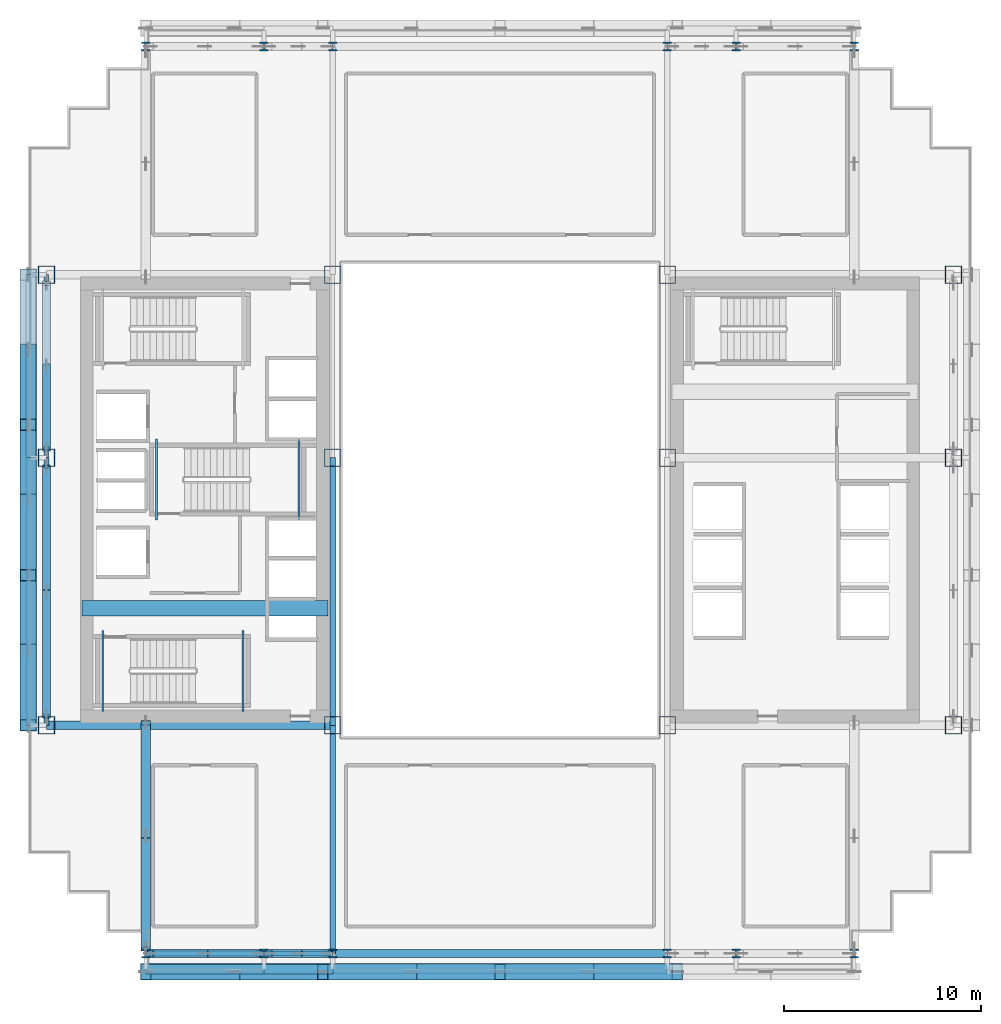
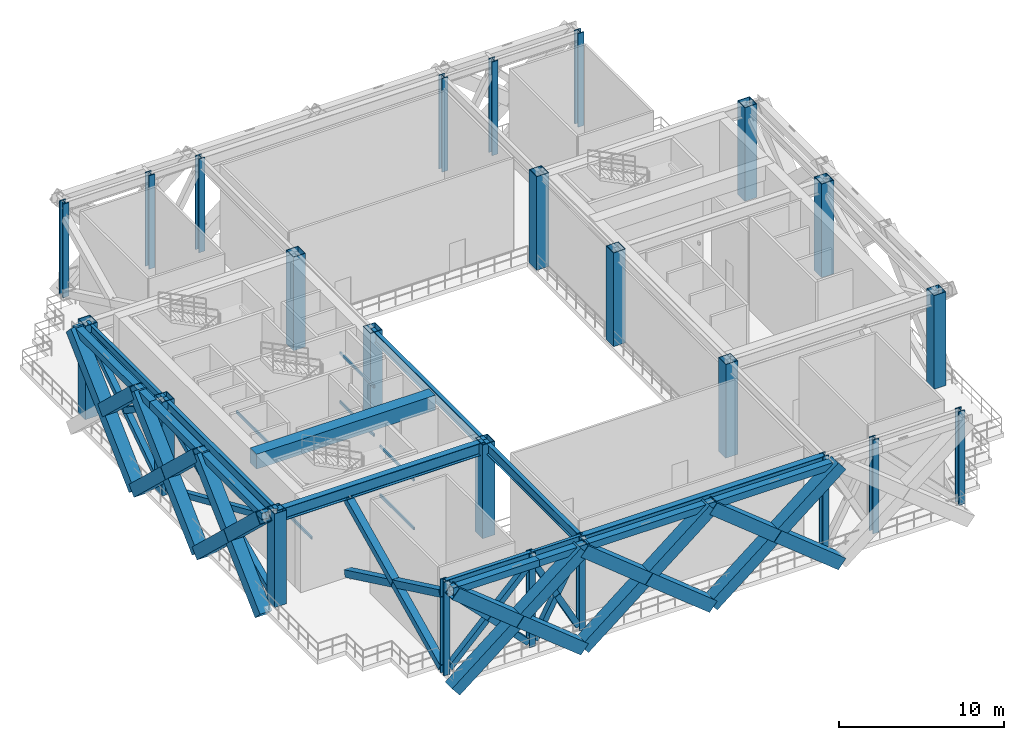
# One storey, part 1 of 14: 31 members, 24 columns, 20 beams.
"""IFC4 building model written with IfcOpenShell, lengths in metres."""

from ifc_helpers import new_model, si_unit, direction, frame, origin, origin_2d, place, context, subcontext, project, spatial, rectangle, hollow_rectangle, i_section, extrude, source, transform, mapped, material, material_profile, profile_set, type_object, element, save


model = new_model("IFC4")

# Units and contexts
model_context = context("Model", 3, precision=1e-05, world=origin(), true_north=direction((0.0, 1.0)))
body_context = subcontext(model_context, "Body", "Model", "MODEL_VIEW")
ifc_project = project(units=[si_unit("LENGTHUNIT", "METRE"), si_unit("AREAUNIT", "SQUARE_METRE"), si_unit("VOLUMEUNIT", "CUBIC_METRE"), si_unit("PLANEANGLEUNIT", "RADIAN"), si_unit("MASSUNIT", "GRAM", prefix="KILO")], contexts=[model_context])

# Site, building, storey
site_placement = place(None, origin())
site = spatial("IfcSite", under=ifc_project, at=site_placement, CompositionType="ELEMENT")
building_placement = place(site_placement, origin())
building = spatial("IfcBuilding", under=site, at=building_placement, Name="Ocotamira Hotel", CompositionType="ELEMENT")
storey_placement = place(building_placement, frame((0.0, 0.0, 85.199951171875)))
storey = spatial("IfcBuildingStorey", under=building, at=storey_placement, Name="L21", CompositionType="ELEMENT", Elevation=85.199951171875)

# Columns
ifc_material_1 = material(Name="Steel ASTM A913 Grade 65", Category="steel")
ifc_material_profile_1 = material_profile(ifc_material_1, hollow_rectangle(XDim=0.85009765625, YDim=0.89990234375, WallThickness=0.0400390625, at=origin_2d()), Name="BOX900X850X40")
ifc_profile_set_1 = profile_set([ifc_material_profile_1], Name="Steel ASTM A913 Grade 65")
column_type_1 = type_object("IfcColumnType", Name="COL-BOX900", PredefinedType="COLUMN", material=ifc_profile_set_1)
shared_shape_1 = source(origin(), body_context, "Body", "SweptSolid", [
    extrude(hollow_rectangle(XDim=0.85009765625, YDim=0.89990234375, WallThickness=0.0400390625, at=origin_2d()), origin(), (0.0, 0.0, 1.0), 6.920166015625),
])
for number, where, z_axis, x_axis, name in (
    (1, (8.949951171875, 14.550048828125, 0.0), (0.0, 0.0, 1.0), (1.0, 0.0, 0.0), "L21 Column TW8_14"),
    (2, (23.5, 14.550048828125, 0.0), (0.0, 0.0, 1.0), (1.0, 0.0, 0.0), "L21 Column TW23_14"),
    (3, (40.5, 14.550048828125, 0.0), (0.0, 0.0, 1.0), (1.0, 0.0, 0.0), "L21 Column TE40_14"),
    (4, (55.050048828125, 14.550048828125, 0.0), (0.0, 0.0, 1.0), (1.0, 0.0, 0.0), "L21 Column TE55_14"),
    (5, (8.949951171875, 28.14990234375, 0.0), (0.0, 0.0, 1.0), (1.0, 0.0, 0.0), "L21 Column TW8_28"),
    (6, (23.5, 28.14990234375, 0.0), (0.0, 0.0, 1.0), (1.0, 0.0, 0.0), "L21 Column TW23_28"),
    (7, (40.5, 28.14990234375, 0.0), (0.0, 0.0, 1.0), (1.0, 0.0, 0.0), "L21 Column TE40_28"),
    (8, (55.050048828125, 28.14990234375, 0.0), (0.0, 0.0, 1.0), (1.0, 0.0, 0.0), "L21 Column TE55_28"),
    (9, (8.949951171875, 37.449951171875, 0.0), (0.0, 0.0, 1.0), (1.0, 0.0, 0.0), "L21 Column TW8_37"),
    (10, (23.5, 37.449951171875, 0.0), (0.0, 0.0, 1.0), (1.0, 0.0, 0.0), "L21 Column TW23_37"),
    (11, (40.5, 37.449951171875, 0.0), (0.0, 0.0, 1.0), (1.0, 0.0, 0.0), "L21 Column TE40_37"),
    (12, (55.050048828125, 37.449951171875, 0.0), (0.0, 0.0, 1.0), (1.0, 0.0, 0.0), "L21 Column TE55_37"),
):
    element("IfcColumn", number, at=place(storey_placement, frame(where, z_axis=z_axis, x_axis=x_axis)), inside=storey, type_object=column_type_1, Name=name, PredefinedType="COLUMN", context=body_context, shape_type="MappedRepresentation", body=[
        mapped(shared_shape_1, transform((0.0, 0.0, 0.0), scale=1.0)),
    ])
ifc_material_profile_2 = material_profile(ifc_material_1, i_section(OverallWidth=0.422119140625, OverallDepth=0.465087890625, WebThickness=0.044921875, FlangeThickness=0.072509765625, FilletRadius=0.02490234375, at=origin_2d()), Name="W14X398")
ifc_profile_set_2 = profile_set([ifc_material_profile_2], Name="Steel ASTM A913 Grade 65")
column_type_2 = type_object("IfcColumnType", Name="COL-W14X398", PredefinedType="COLUMN", material=ifc_profile_set_2)
shared_shape_2 = source(origin(), body_context, "Body", "SweptSolid", [
    extrude(i_section(OverallWidth=0.422119140625, OverallDepth=0.465087890625, WebThickness=0.044921875, FlangeThickness=0.072509765625, FilletRadius=0.02490234375, at=origin_2d()), origin(), (0.0, 0.0, 1.0), 6.920166015625),
])
for number, where, z_axis, x_axis, name in (
    (13, (14.0, 2.949951171875, 0.0), (0.0, 0.0, 1.0), (1.0, 0.0, 0.0), "L21 Column NSP1_14"),
    (14, (20.0, 2.949951171875, 0.0), (0.0, 0.0, 1.0), (1.0, 0.0, 0.0), "L21 Column NSP1_20"),
    (15, (23.5, 2.949951171875, 0.0), (0.0, 0.0, 1.0), (1.0, 0.0, 0.0), "L21 Column NSP1_23"),
    (16, (40.5, 2.949951171875, 0.0), (0.0, 0.0, 1.0), (1.0, 0.0, 0.0), "L21 Column NSP1_40"),
    (17, (44.0, 2.949951171875, 0.0), (0.0, 0.0, 1.0), (1.0, 0.0, 0.0), "L21 Column NSP1_44"),
    (18, (50.0, 2.949951171875, 0.0), (0.0, 0.0, 1.0), (1.0, 0.0, 0.0), "L21 Column NSP1_50"),
    (19, (14.0, 49.050048828125, 0.0), (0.0, 0.0, 1.0), (1.0, 0.0, 0.0), "L21 Column NSP2_14"),
    (20, (20.0, 49.050048828125, 0.0), (0.0, 0.0, 1.0), (1.0, 0.0, 0.0), "L21 Column NSP2_20"),
    (21, (23.5, 49.050048828125, 0.0), (0.0, 0.0, 1.0), (1.0, 0.0, 0.0), "L21 Column NSP2_23"),
    (22, (40.5, 49.050048828125, 0.0), (0.0, 0.0, 1.0), (1.0, 0.0, 0.0), "L21 Column NSP2_40"),
    (23, (44.0, 49.050048828125, 0.0), (0.0, 0.0, 1.0), (1.0, 0.0, 0.0), "L21 Column NSP2_44"),
    (24, (50.0, 49.050048828125, 0.0), (0.0, 0.0, 1.0), (1.0, 0.0, 0.0), "L21 Column NSP2_50"),
):
    element("IfcColumn", number, at=place(storey_placement, frame(where, z_axis=z_axis, x_axis=x_axis)), inside=storey, type_object=column_type_2, Name=name, PredefinedType="COLUMN", context=body_context, shape_type="MappedRepresentation", body=[
        mapped(shared_shape_2, transform((0.0, 0.0, 0.0), scale=1.0)),
    ])

# Beams
ifc_material_2 = material(Name="Concrete C60/75", Category="concrete")
ifc_material_profile_3 = material_profile(ifc_material_2, rectangle(XDim=0.800048828125, YDim=1.10009765625, at=origin_2d()), Name="RC800X1100")
ifc_profile_set_3 = profile_set([ifc_material_profile_3], Name="Concrete C60/75")
beam_type_1 = type_object("IfcBeamType", Name="BM-LINK-RC800", PredefinedType="LINTEL", material=ifc_profile_set_3)
shared_shape_3 = source(origin(), body_context, "Body", "SweptSolid", [
    extrude(rectangle(XDim=0.800048828125, YDim=1.10009765625, at=origin_2d()), origin(), (0.0, 0.0, 1.0), 12.5),
])
beam_1_placement = place(storey_placement, frame((10.75, 20.5, 6.3701171875), z_axis=(1.0, 0.0, 0.0), x_axis=(0.0, 1.0, 0.0)))
element("IfcBeam", 25, at=beam_1_placement, inside=storey, type_object=beam_type_1, Name="L21 West Core Coupling Beam", PredefinedType="LINTEL", context=body_context, shape_type="MappedRepresentation", body=[
    mapped(shared_shape_3, transform((0.0, 0.0, 0.0), scale=1.0)),
])
ifc_material_3 = material(Name="Steel ASTM A500 Grade C", Category="steel")
ifc_material_profile_4 = material_profile(ifc_material_3, hollow_rectangle(XDim=0.10009765625, YDim=0.199951171875, WallThickness=0.008056640625, at=origin_2d()), Name="HSS200X100X8")
ifc_profile_set_4 = profile_set([ifc_material_profile_4], Name="Steel ASTM A500 Grade C")
beam_type_2 = type_object("IfcBeamType", Name="BM-STLDG-HSS200", PredefinedType="BEAM", material=ifc_profile_set_4)
shared_shape_4 = source(origin(), body_context, "Body", "SweptSolid", [
    extrude(hollow_rectangle(XDim=0.10009765625, YDim=0.199951171875, WallThickness=0.008056640625, at=origin_2d()), origin(), (0.0, 0.0, 1.0), 4.1201171875),
])
for number, where, z_axis, x_axis, name in (
    (26, (18.949951171875, 15.25, 1.5), (0.0, 1.0, 0.0), (-1.0, 0.0, 0.0), "L21 Stair ST-1 Landing Bearer 1"),
    (27, (11.81005859375, 15.25, 3.300048828125), (0.0, 1.0, 0.0), (-1.0, 0.0, 0.0), "L21 Stair ST-1 Landing Bearer 2"),
    (28, (18.949951171875, 15.25, 5.10009765625), (0.0, 1.0, 0.0), (-1.0, 0.0, 0.0), "L21 Stair ST-1 Landing Bearer 3"),
    (29, (21.780029296875, 24.97998046875, 1.5), (0.0, 1.0, 0.0), (-1.0, 0.0, 0.0), "L21 Stair ST-3 Landing Bearer 1"),
    (30, (14.5400390625, 24.97998046875, 3.300048828125), (0.0, 1.0, 0.0), (-1.0, 0.0, 0.0), "L21 Stair ST-3 Landing Bearer 2"),
    (31, (21.780029296875, 24.97998046875, 5.10009765625), (0.0, 1.0, 0.0), (-1.0, 0.0, 0.0), "L21 Stair ST-3 Landing Bearer 3"),
):
    element("IfcBeam", number, at=place(storey_placement, frame(where, z_axis=z_axis, x_axis=x_axis)), inside=storey, type_object=beam_type_2, Name=name, PredefinedType="BEAM", context=body_context, shape_type="MappedRepresentation", body=[
        mapped(shared_shape_4, transform((0.0, 0.0, 0.0), scale=1.0)),
    ])
ifc_material_4 = material(Name="Steel ASTM A992 Grade 50", Category="steel")
ifc_material_profile_5 = material_profile(ifc_material_4, i_section(OverallWidth=0.41796875, OverallDepth=0.927001953125, WebThickness=0.019287109375, FlangeThickness=0.031982421875, FilletRadius=0.02392578125, at=origin_2d()), Name="W36X231")
ifc_profile_set_5 = profile_set([ifc_material_profile_5], Name="Steel ASTM A992 Grade 50")
beam_type_3 = type_object("IfcBeamType", Name="BM-GIRD-W36X231", PredefinedType="BEAM", material=ifc_profile_set_5)
shared_shape_5 = source(origin(), body_context, "Body", "SweptSolid", [
    extrude(i_section(OverallWidth=0.41796875, OverallDepth=0.927001953125, WebThickness=0.019287109375, FlangeThickness=0.031982421875, FilletRadius=0.02392578125, at=origin_2d()), origin(), (0.0, 0.0, 1.0), 14.550048828125),
])
beam_2_placement = place(storey_placement, frame((8.949951171875, 14.550048828125, 6.45654296875), z_axis=(1.0, 0.0, 0.0), x_axis=(0.0, 1.0, 0.0)))
element("IfcBeam", 32, at=beam_2_placement, inside=storey, type_object=beam_type_3, Name="L21 Girder Y14.55 X8.95-23.5", PredefinedType="BEAM", context=body_context, shape_type="MappedRepresentation", body=[
    mapped(shared_shape_5, transform((0.0, 0.0, 0.0), scale=1.0)),
])
shared_shape_6 = source(origin(), body_context, "Body", "SweptSolid", [
    extrude(i_section(OverallWidth=0.41796875, OverallDepth=0.927001953125, WebThickness=0.019287109375, FlangeThickness=0.031982421875, FilletRadius=0.02392578125, at=origin_2d()), origin(), (0.0, 0.0, 1.0), 17.0),
])
beam_3_placement = place(storey_placement, frame((23.5, 2.949951171875, 6.45654296875), z_axis=(1.0, 0.0, 0.0), x_axis=(0.0, 1.0, 0.0)))
element("IfcBeam", 33, at=beam_3_placement, inside=storey, type_object=beam_type_3, Name="L21 Girder Y2.95 X23.5-40.5", PredefinedType="BEAM", context=body_context, shape_type="MappedRepresentation", body=[
    mapped(shared_shape_6, transform((0.0, 0.0, 0.0), scale=1.0)),
])
ifc_material_profile_6 = material_profile(ifc_material_4, i_section(OverallWidth=0.256103515625, OverallDepth=0.693115234375, WebThickness=0.014404296875, FlangeThickness=0.023681640625, FilletRadius=0.01611328125, at=origin_2d()), Name="W27X114")
ifc_profile_set_6 = profile_set([ifc_material_profile_6], Name="Steel ASTM A992 Grade 50")
beam_type_4 = type_object("IfcBeamType", Name="BM-PRIM-W27X114", PredefinedType="BEAM", material=ifc_profile_set_6)
shared_shape_7 = source(origin(), body_context, "Body", "SweptSolid", [
    extrude(i_section(OverallWidth=0.256103515625, OverallDepth=0.693115234375, WebThickness=0.014404296875, FlangeThickness=0.023681640625, FilletRadius=0.01611328125, at=origin_2d()), origin(), (0.0, 0.0, 1.0), 6.0),
])
beam_4_placement = place(storey_placement, frame((14.0, 2.949951171875, 6.573486328125), z_axis=(1.0, 0.0, 0.0), x_axis=(0.0, 1.0, 0.0)))
element("IfcBeam", 34, at=beam_4_placement, inside=storey, type_object=beam_type_4, Name="L21 Girder Y2.95 X14-20", PredefinedType="BEAM", context=body_context, shape_type="MappedRepresentation", body=[
    mapped(shared_shape_7, transform((0.0, 0.0, 0.0), scale=1.0)),
])
ifc_material_profile_7 = material_profile(ifc_material_4, i_section(OverallWidth=0.2099609375, OverallDepth=0.537109375, WebThickness=0.010986328125, FlangeThickness=0.017333984375, FilletRadius=0.012939453125, at=origin_2d()), Name="W21X68")
ifc_profile_set_7 = profile_set([ifc_material_profile_7], Name="Steel ASTM A992 Grade 50")
beam_type_5 = type_object("IfcBeamType", Name="BM-SEC-W21X68", PredefinedType="JOIST", material=ifc_profile_set_7)
shared_shape_8 = source(origin(), body_context, "Body", "SweptSolid", [
    extrude(i_section(OverallWidth=0.2099609375, OverallDepth=0.537109375, WebThickness=0.010986328125, FlangeThickness=0.017333984375, FilletRadius=0.012939453125, at=origin_2d()), origin(), (0.0, 0.0, 1.0), 3.5),
])
beam_5_placement = place(storey_placement, frame((20.0, 2.949951171875, 6.651611328125), z_axis=(1.0, 0.0, 0.0), x_axis=(0.0, 1.0, 0.0)))
element("IfcBeam", 35, at=beam_5_placement, inside=storey, type_object=beam_type_5, Name="L21 Girder Y2.95 X20-23.5", PredefinedType="JOIST", context=body_context, shape_type="MappedRepresentation", body=[
    mapped(shared_shape_8, transform((0.0, 0.0, 0.0), scale=1.0)),
])
ifc_material_profile_8 = material_profile(ifc_material_4, i_section(OverallWidth=0.26611328125, OverallDepth=0.779052734375, WebThickness=0.0166015625, FlangeThickness=0.030029296875, FilletRadius=0.01806640625, at=origin_2d()), Name="W30X148")
ifc_profile_set_8 = profile_set([ifc_material_profile_8], Name="Steel ASTM A992 Grade 50")
beam_type_6 = type_object("IfcBeamType", Name="BM-GIRD-W30X148", PredefinedType="BEAM", material=ifc_profile_set_8)
shared_shape_9 = source(origin(), body_context, "Body", "SweptSolid", [
    extrude(i_section(OverallWidth=0.26611328125, OverallDepth=0.779052734375, WebThickness=0.0166015625, FlangeThickness=0.030029296875, FilletRadius=0.01806640625, at=origin_2d()), origin(), (0.0, 0.0, 1.0), 13.599853515625),
])
for number, where, z_axis, x_axis, name in (
    (36, (8.949951171875, 14.550048828125, 6.530517578125), (0.0, 1.0, 0.0), (-1.0, 0.0, 0.0), "L21 Beam X8.95 Y14.55-28.15"),
    (37, (23.5, 14.550048828125, 6.530517578125), (0.0, 1.0, 0.0), (-1.0, 0.0, 0.0), "L21 Beam X23.5 Y14.55-28.15"),
):
    element("IfcBeam", number, at=place(storey_placement, frame(where, z_axis=z_axis, x_axis=x_axis)), inside=storey, type_object=beam_type_6, Name=name, PredefinedType="BEAM", context=body_context, shape_type="MappedRepresentation", body=[
        mapped(shared_shape_9, transform((0.0, 0.0, 0.0), scale=1.0)),
    ])
ifc_material_profile_9 = material_profile(ifc_material_4, i_section(OverallWidth=0.22998046875, OverallDepth=0.616943359375, WebThickness=0.01318359375, FlangeThickness=0.022216796875, FilletRadius=0.012939453125, at=origin_2d()), Name="W24X94")
ifc_profile_set_9 = profile_set([ifc_material_profile_9], Name="Steel ASTM A992 Grade 50")
beam_type_7 = type_object("IfcBeamType", Name="BM-PRIM-W24X94", PredefinedType="BEAM", material=ifc_profile_set_9)
shared_shape_10 = source(origin(), body_context, "Body", "SweptSolid", [
    extrude(i_section(OverallWidth=0.22998046875, OverallDepth=0.616943359375, WebThickness=0.01318359375, FlangeThickness=0.022216796875, FilletRadius=0.012939453125, at=origin_2d()), origin(), (0.0, 0.0, 1.0), 9.300048828125),
])
beam_6_placement = place(storey_placement, frame((8.949951171875, 28.14990234375, 6.611572265625), z_axis=(0.0, 1.0, 0.0), x_axis=(-1.0, 0.0, 0.0)))
element("IfcBeam", 38, at=beam_6_placement, inside=storey, type_object=beam_type_7, Name="L21 Beam X8.95 Y28.15-37.45", PredefinedType="BEAM", context=body_context, shape_type="MappedRepresentation", body=[
    mapped(shared_shape_10, transform((0.0, 0.0, 0.0), scale=1.0)),
])
shared_shape_11 = source(origin(), body_context, "Body", "SweptSolid", [
    extrude(i_section(OverallWidth=0.26611328125, OverallDepth=0.779052734375, WebThickness=0.0166015625, FlangeThickness=0.030029296875, FilletRadius=0.01806640625, at=origin_2d()), origin(), (0.0, 0.0, 1.0), 11.60009765625),
])
beam_7_placement = place(storey_placement, frame((23.5, 2.949951171875, 6.530517578125), z_axis=(0.0, 1.0, 0.0), x_axis=(-1.0, 0.0, 0.0)))
element("IfcBeam", 39, at=beam_7_placement, inside=storey, type_object=beam_type_6, Name="L21 Beam X23.5 Y2.95-14.55", PredefinedType="BEAM", context=body_context, shape_type="MappedRepresentation", body=[
    mapped(shared_shape_11, transform((0.0, 0.0, 0.0), scale=1.0)),
])
ifc_material_profile_10 = material_profile(ifc_material_3, hollow_rectangle(XDim=0.5, YDim=0.5, WallThickness=0.02001953125, at=origin_2d()), Name="HSS500X500X20")
ifc_profile_set_10 = profile_set([ifc_material_profile_10], Name="Steel ASTM A500 Grade C")
beam_type_8 = type_object("IfcBeamType", Name="BM-SPAN-HSS500", PredefinedType="USERDEFINED", material=ifc_profile_set_10)
shared_shape_12 = source(origin(), body_context, "Body", "SweptSolid", [
    extrude(hollow_rectangle(XDim=0.5, YDim=0.5, WallThickness=0.02001953125, at=origin_2d()), origin(), (0.0, 0.0, 1.0), 6.0),
])
beam_8_placement = place(storey_placement, frame((14.0, 2.14990234375, 6.670166015625), z_axis=(1.0, 0.0, 0.0), x_axis=(0.0, 1.0, 0.0)))
element("IfcBeam", 40, at=beam_8_placement, inside=storey, type_object=beam_type_8, Name="L21 Edge Spandrel S X14-20", ObjectType="SPANDREL", PredefinedType="USERDEFINED", context=body_context, shape_type="MappedRepresentation", body=[
    mapped(shared_shape_12, transform((0.0, 0.0, 0.0), scale=1.0)),
])
shared_shape_13 = source(origin(), body_context, "Body", "SweptSolid", [
    extrude(hollow_rectangle(XDim=0.5, YDim=0.5, WallThickness=0.02001953125, at=origin_2d()), origin(), (0.0, 0.0, 1.0), 13.599853515625),
])
beam_9_placement = place(storey_placement, frame((8.14990234375, 14.550048828125, 6.670166015625), z_axis=(0.0, 1.0, 0.0), x_axis=(-1.0, 0.0, 0.0)))
element("IfcBeam", 41, at=beam_9_placement, inside=storey, type_object=beam_type_8, Name="L21 Edge Spandrel W Y14.55-28.15", ObjectType="SPANDREL", PredefinedType="USERDEFINED", context=body_context, shape_type="MappedRepresentation", body=[
    mapped(shared_shape_13, transform((0.0, 0.0, 0.0), scale=1.0)),
])
shared_shape_14 = source(origin(), body_context, "Body", "SweptSolid", [
    extrude(hollow_rectangle(XDim=0.5, YDim=0.5, WallThickness=0.02001953125, at=origin_2d()), origin(), (0.0, 0.0, 1.0), 9.300048828125),
])
beam_10_placement = place(storey_placement, frame((8.14990234375, 28.14990234375, 6.670166015625), z_axis=(0.0, 1.0, 0.0), x_axis=(-1.0, 0.0, 0.0)))
element("IfcBeam", 42, at=beam_10_placement, inside=storey, type_object=beam_type_8, Name="L21 Edge Spandrel W Y28.15-37.45", ObjectType="SPANDREL", PredefinedType="USERDEFINED", context=body_context, shape_type="MappedRepresentation", body=[
    mapped(shared_shape_14, transform((0.0, 0.0, 0.0), scale=1.0)),
])
shared_shape_15 = source(origin(), body_context, "Body", "SweptSolid", [
    extrude(hollow_rectangle(XDim=0.5, YDim=0.5, WallThickness=0.02001953125, at=origin_2d()), origin(), (0.0, 0.0, 1.0), 3.5),
])
beam_11_placement = place(storey_placement, frame((20.0, 2.14990234375, 6.670166015625), z_axis=(1.0, 0.0, 0.0), x_axis=(0.0, 1.0, 0.0)))
element("IfcBeam", 43, at=beam_11_placement, inside=storey, type_object=beam_type_8, Name="L21 Edge Spandrel S X20-23.5", ObjectType="SPANDREL", PredefinedType="USERDEFINED", context=body_context, shape_type="MappedRepresentation", body=[
    mapped(shared_shape_15, transform((0.0, 0.0, 0.0), scale=1.0)),
])
shared_shape_16 = source(origin(), body_context, "Body", "SweptSolid", [
    extrude(hollow_rectangle(XDim=0.5, YDim=0.5, WallThickness=0.02001953125, at=origin_2d()), origin(), (0.0, 0.0, 1.0), 17.0),
])
beam_12_placement = place(storey_placement, frame((23.5, 2.14990234375, 6.670166015625), z_axis=(1.0, 0.0, 0.0), x_axis=(0.0, 1.0, 0.0)))
element("IfcBeam", 44, at=beam_12_placement, inside=storey, type_object=beam_type_8, Name="L21 Edge Spandrel S X23.5-40.5", ObjectType="SPANDREL", PredefinedType="USERDEFINED", context=body_context, shape_type="MappedRepresentation", body=[
    mapped(shared_shape_16, transform((0.0, 0.0, 0.0), scale=1.0)),
])

# Members
ifc_material_profile_11 = material_profile(ifc_material_1, hollow_rectangle(XDim=0.5, YDim=0.5, WallThickness=0.02001953125, at=origin_2d()), Name="HSS500X500X20")
ifc_profile_set_11 = profile_set([ifc_material_profile_11], Name="Steel ASTM A913 Grade 65")
member_type_1 = type_object("IfcMemberType", Name="MEM-OUT-HSS500", PredefinedType="BRACE", material=ifc_profile_set_11)
shared_shape_17 = source(origin(), body_context, "Body", "SweptSolid", [
    extrude(hollow_rectangle(XDim=0.5, YDim=0.5, WallThickness=0.02001953125, at=origin_2d()), origin(), (0.0, 0.0, 1.0), 12.73876953125),
])
member_1_placement = place(storey_placement, frame((14.0, 14.675048828125, 0.35009765625), z_axis=(0.0, -0.902368580511, 0.430965131891), x_axis=(1.0, 0.0, 0.0)))
element("IfcMember", 45, at=member_1_placement, inside=storey, type_object=member_type_1, Name="L21 Outrigger Truss S X14 A", PredefinedType="BRACE", context=body_context, shape_type="MappedRepresentation", body=[
    mapped(shared_shape_17, transform((0.0, 0.0, 0.0), scale=1.0)),
])
shared_shape_18 = source(origin(), body_context, "Body", "SweptSolid", [
    extrude(hollow_rectangle(XDim=0.5, YDim=0.5, WallThickness=0.02001953125, at=origin_2d()), origin(), (0.0, 0.0, 1.0), 6.349365234375),
])
for number, where, z_axis, x_axis, name in (
    (46, (14.0, 14.675048828125, 5.840087890625), (0.0, -0.90237094461, -0.43096018183), (1.0, 0.0, 0.0), "L21 Outrigger Truss S X14 B Lower Half"),
    (47, (14.0, 8.909423828125, 3.08642578125), (0.0, -0.90237094461, -0.43096018183), (1.0, 0.0, 0.0), "L21 Outrigger Truss S X14 B Upper Half"),
):
    element("IfcMember", number, at=place(storey_placement, frame(where, z_axis=z_axis, x_axis=x_axis)), inside=storey, type_object=member_type_1, Name=name, PredefinedType="BRACE", context=body_context, shape_type="MappedRepresentation", body=[
        mapped(shared_shape_18, transform((0.0, 0.0, 0.0), scale=1.0)),
    ])
ifc_material_profile_12 = material_profile(ifc_material_1, hollow_rectangle(XDim=0.39990234375, YDim=0.39990234375, WallThickness=0.01611328125, at=origin_2d()), Name="HSS400X400X16")
ifc_profile_set_12 = profile_set([ifc_material_profile_12], Name="Steel ASTM A913 Grade 65")
member_type_2 = type_object("IfcMemberType", Name="MEM-BELT-HSS400", PredefinedType="BRACE", material=ifc_profile_set_12)
shared_shape_19 = source(origin(), body_context, "Body", "SweptSolid", [
    extrude(hollow_rectangle(XDim=0.39990234375, YDim=0.39990234375, WallThickness=0.01611328125, at=origin_2d()), origin(), (0.0, 0.0, 1.0), 7.870361328125),
])
member_2_placement = place(storey_placement, frame((14.239990234375, 2.949951171875, 0.35009765625), z_axis=(0.701375952143, 0.0, 0.712791535973), x_axis=(0.0, 1.0, 0.0)))
element("IfcMember", 48, at=member_2_placement, inside=storey, type_object=member_type_2, Name="L21 Belt Truss Diagonal 14,2.95 A", PredefinedType="BRACE", context=body_context, shape_type="MappedRepresentation", body=[
    mapped(shared_shape_19, transform((0.0, 0.0, 0.0), scale=1.0)),
])
shared_shape_20 = source(origin(), body_context, "Body", "SweptSolid", [
    extrude(hollow_rectangle(XDim=0.39990234375, YDim=0.39990234375, WallThickness=0.01611328125, at=origin_2d()), origin(), (0.0, 0.0, 1.0), 3.915283203125),
])
for number, where, z_axis, x_axis, name in (
    (49, (14.239990234375, 2.949951171875, 5.9599609375), (0.70137820504, 0.0, -0.712789319151), (0.0, 1.0, 0.0), "L21 Belt Truss Diagonal 14,2.95 B Lower Half"),
    (50, (17.013916015625, 2.949951171875, 3.140869140625), (0.70137820504, 0.0, -0.712789319151), (0.0, 1.0, 0.0), "L21 Belt Truss Diagonal 14,2.95 B Upper Half"),
):
    element("IfcMember", number, at=place(storey_placement, frame(where, z_axis=z_axis, x_axis=x_axis)), inside=storey, type_object=member_type_2, Name=name, PredefinedType="BRACE", context=body_context, shape_type="MappedRepresentation", body=[
        mapped(shared_shape_20, transform((0.0, 0.0, 0.0), scale=1.0)),
    ])
shared_shape_21 = source(origin(), body_context, "Body", "SweptSolid", [
    extrude(hollow_rectangle(XDim=0.39990234375, YDim=0.39990234375, WallThickness=0.01611328125, at=origin_2d()), origin(), (0.0, 0.0, 1.0), 6.37109375),
])
member_3_placement = place(storey_placement, frame((20.239990234375, 2.949951171875, 0.35009765625), z_axis=(0.474017556158, 0.0, 0.880515392514), x_axis=(0.0, 1.0, 0.0)))
element("IfcMember", 51, at=member_3_placement, inside=storey, type_object=member_type_2, Name="L21 Belt Truss Diagonal 20,2.95 A", PredefinedType="BRACE", context=body_context, shape_type="MappedRepresentation", body=[
    mapped(shared_shape_21, transform((0.0, 0.0, 0.0), scale=1.0)),
])
shared_shape_22 = source(origin(), body_context, "Body", "SweptSolid", [
    extrude(hollow_rectangle(XDim=0.39990234375, YDim=0.39990234375, WallThickness=0.01611328125, at=origin_2d()), origin(), (0.0, 0.0, 1.0), 3.16552734375),
])
for number, where, z_axis, x_axis, name in (
    (52, (20.239990234375, 2.949951171875, 5.9599609375), (0.474003238469, 0.0, -0.880523100163), (0.0, 1.0, 0.0), "L21 Belt Truss Diagonal 20,2.95 B Lower Half"),
    (53, (21.759521484375, 2.949951171875, 3.137451171875), (0.474003238469, 0.0, -0.880523100163), (0.0, 1.0, 0.0), "L21 Belt Truss Diagonal 20,2.95 B Upper Half"),
):
    element("IfcMember", number, at=place(storey_placement, frame(where, z_axis=z_axis, x_axis=x_axis)), inside=storey, type_object=member_type_2, Name=name, PredefinedType="BRACE", context=body_context, shape_type="MappedRepresentation", body=[
        mapped(shared_shape_22, transform((0.0, 0.0, 0.0), scale=1.0)),
    ])
shared_shape_23 = source(origin(), body_context, "Body", "SweptSolid", [
    extrude(hollow_rectangle(XDim=0.39990234375, YDim=0.39990234375, WallThickness=0.01611328125, at=origin_2d()), origin(), (0.0, 0.0, 1.0), 13.902099609375),
])
member_4_placement = place(storey_placement, frame((8.949951171875, 14.989990234375, 0.35009765625), z_axis=(0.0, 0.914967960932, 0.403526492895), x_axis=(-1.0, 0.0, 0.0)))
element("IfcMember", 54, at=member_4_placement, inside=storey, type_object=member_type_2, Name="L21 Belt Truss Diagonal 8.95,14.55 A", PredefinedType="BRACE", context=body_context, shape_type="MappedRepresentation", body=[
    mapped(shared_shape_23, transform((0.0, 0.0, 0.0), scale=1.0)),
])
shared_shape_24 = source(origin(), body_context, "Body", "SweptSolid", [
    extrude(hollow_rectangle(XDim=0.39990234375, YDim=0.39990234375, WallThickness=0.01611328125, at=origin_2d()), origin(), (0.0, 0.0, 1.0), 6.93115234375),
])
member_5_placement = place(storey_placement, frame((8.949951171875, 14.989990234375, 5.9599609375), z_axis=(0.0, 0.914969826027, -0.403522263896), x_axis=(-1.0, 0.0, 0.0)))
element("IfcMember", 55, at=member_5_placement, inside=storey, type_object=member_type_2, Name="L21 Belt Truss Diagonal 8.95,14.55 B Lower Half", PredefinedType="BRACE", context=body_context, shape_type="MappedRepresentation", body=[
    mapped(shared_shape_24, transform((0.0, 0.0, 0.0), scale=1.0)),
])
shared_shape_25 = source(origin(), body_context, "Body", "SweptSolid", [
    extrude(hollow_rectangle(XDim=0.39990234375, YDim=0.39990234375, WallThickness=0.01611328125, at=origin_2d()), origin(), (0.0, 0.0, 1.0), 6.930908203125),
])
member_6_placement = place(storey_placement, frame((8.949951171875, 21.368408203125, 3.14697265625), z_axis=(0.0, 0.914964090273, -0.403535269227), x_axis=(-1.0, 0.0, 0.0)))
element("IfcMember", 56, at=member_6_placement, inside=storey, type_object=member_type_2, Name="L21 Belt Truss Diagonal 8.95,14.55 B Upper Half", PredefinedType="BRACE", context=body_context, shape_type="MappedRepresentation", body=[
    mapped(shared_shape_25, transform((0.0, 0.0, 0.0), scale=1.0)),
])
shared_shape_26 = source(origin(), body_context, "Body", "SweptSolid", [
    extrude(hollow_rectangle(XDim=0.39990234375, YDim=0.39990234375, WallThickness=0.01611328125, at=origin_2d()), origin(), (0.0, 0.0, 1.0), 10.11767578125),
])
member_7_placement = place(storey_placement, frame((8.949951171875, 28.590087890625, 0.35009765625), z_axis=(0.0, 0.832206180403, 0.554466295909), x_axis=(-1.0, 0.0, 0.0)))
element("IfcMember", 57, at=member_7_placement, inside=storey, type_object=member_type_2, Name="L21 Belt Truss Diagonal 8.95,28.15 A", PredefinedType="BRACE", context=body_context, shape_type="MappedRepresentation", body=[
    mapped(shared_shape_26, transform((0.0, 0.0, 0.0), scale=1.0)),
])
shared_shape_27 = source(origin(), body_context, "Body", "SweptSolid", [
    extrude(hollow_rectangle(XDim=0.39990234375, YDim=0.39990234375, WallThickness=0.01611328125, at=origin_2d()), origin(), (0.0, 0.0, 1.0), 5.038818359375),
])
member_8_placement = place(storey_placement, frame((8.949951171875, 28.590087890625, 5.9599609375), z_axis=(0.0, 0.832221702224, -0.554442998285), x_axis=(-1.0, 0.0, 0.0)))
element("IfcMember", 58, at=member_8_placement, inside=storey, type_object=member_type_2, Name="L21 Belt Truss Diagonal 8.95,28.15 B Lower Half", PredefinedType="BRACE", context=body_context, shape_type="MappedRepresentation", body=[
    mapped(shared_shape_27, transform((0.0, 0.0, 0.0), scale=1.0)),
])
ifc_material_5 = material(Name="Pale-metal coated steel ASTM A913 Grade 65", Category="steel")
ifc_material_profile_13 = material_profile(ifc_material_5, hollow_rectangle(XDim=0.85009765625, YDim=0.85009765625, WallThickness=0.035888671875, at=origin_2d()), Name="BOX850X850X36")
ifc_profile_set_13 = profile_set([ifc_material_profile_13], Name="Pale-metal coated steel ASTM A913 Grade 65")
member_type_3 = type_object("IfcMemberType", Name="MEM-EXO-BOX850", PredefinedType="BRACE", material=ifc_profile_set_13)
shared_shape_28 = source(origin(), body_context, "Body", "SweptSolid", [
    extrude(hollow_rectangle(XDim=0.85009765625, YDim=0.85009765625, WallThickness=0.035888671875, at=origin_2d()), origin(), (0.0, 0.0, 1.0), 11.55078125),
])
for number, where, z_axis, x_axis, name in (
    (59, (14.0, 2.030029296875, -0.570068359375), (0.779166772516, 0.0, 0.626816672247), (0.0, 1.0, 0.0), "L21 Exoskeleton Diagrid S0.1"),
    (60, (23.0, 2.030029296875, -0.570068359375), (0.779166772516, 0.0, 0.626816672247), (0.0, 1.0, 0.0), "L21 Exoskeleton Diagrid S1.1"),
    (61, (32.0, 2.030029296875, -0.570068359375), (0.779166772516, 0.0, 0.626816672247), (0.0, 1.0, 0.0), "L21 Exoskeleton Diagrid S2.1"),
):
    element("IfcMember", number, at=place(storey_placement, frame(where, z_axis=z_axis, x_axis=x_axis)), inside=storey, type_object=member_type_3, Name=name, PredefinedType="BRACE", context=body_context, shape_type="MappedRepresentation", body=[
        mapped(shared_shape_28, transform((0.0, 0.0, 0.0), scale=1.0)),
    ])
shared_shape_29 = source(origin(), body_context, "Body", "SweptSolid", [
    extrude(hollow_rectangle(XDim=0.85009765625, YDim=0.85009765625, WallThickness=0.035888671875, at=origin_2d()), origin(), (0.0, 0.0, 1.0), 5.75537109375),
])
for number, where, z_axis, x_axis, name in (
    (62, (23.0, 2.030029296875, -0.570068359375), (-0.779156701488, 0.0, 0.626829190869), (0.0, -1.0, 0.0), "L21 Exoskeleton Diagrid S0.2 Lower Half"),
    (63, (18.484375, 2.030029296875, 3.0625), (-0.779156701488, 0.0, 0.626829190869), (0.0, -1.0, 0.0), "L21 Exoskeleton Diagrid S0.2 Upper Half"),
    (64, (32.0, 2.030029296875, -0.570068359375), (-0.779156701488, 0.0, 0.626829190869), (0.0, -1.0, 0.0), "L21 Exoskeleton Diagrid S1.2 Lower Half"),
    (65, (27.484375, 2.030029296875, 3.0625), (-0.779156701488, 0.0, 0.626829190869), (0.0, -1.0, 0.0), "L21 Exoskeleton Diagrid S1.2 Upper Half"),
    (66, (41.0, 2.030029296875, -0.570068359375), (-0.779156701488, 0.0, 0.626829190869), (0.0, -1.0, 0.0), "L21 Exoskeleton Diagrid S2.2 Lower Half"),
    (67, (36.484375, 2.030029296875, 3.0625), (-0.779156701488, 0.0, 0.626829190869), (0.0, -1.0, 0.0), "L21 Exoskeleton Diagrid S2.2 Upper Half"),
):
    element("IfcMember", number, at=place(storey_placement, frame(where, z_axis=z_axis, x_axis=x_axis)), inside=storey, type_object=member_type_3, Name=name, PredefinedType="BRACE", context=body_context, shape_type="MappedRepresentation", body=[
        mapped(shared_shape_29, transform((0.0, 0.0, 0.0), scale=1.0)),
    ])
shared_shape_30 = source(origin(), body_context, "Body", "SweptSolid", [
    extrude(hollow_rectangle(XDim=0.85009765625, YDim=0.85009765625, WallThickness=0.035888671875, at=origin_2d()), origin(), (0.0, 0.0, 1.0), 10.520751953125),
])
for number, where, z_axis, x_axis, name in (
    (68, (8.030029296875, 14.550048828125, -0.570068359375), (0.0, 0.725540344129, 0.688179634283), (-1.0, 0.0, 0.0), "L21 Exoskeleton Diagrid W0.1"),
    (69, (8.030029296875, 22.183349609375, -0.570068359375), (0.0, 0.725540344129, 0.688179634283), (-1.0, 0.0, 0.0), "L21 Exoskeleton Diagrid W1.1"),
    (70, (8.030029296875, 29.816650390625, -0.570068359375), (0.0, 0.725540344129, 0.688179634283), (-1.0, 0.0, 0.0), "L21 Exoskeleton Diagrid W2.1"),
):
    element("IfcMember", number, at=place(storey_placement, frame(where, z_axis=z_axis, x_axis=x_axis)), inside=storey, type_object=member_type_3, Name=name, PredefinedType="BRACE", context=body_context, shape_type="MappedRepresentation", body=[
        mapped(shared_shape_30, transform((0.0, 0.0, 0.0), scale=1.0)),
    ])
shared_shape_31 = source(origin(), body_context, "Body", "SweptSolid", [
    extrude(hollow_rectangle(XDim=0.85009765625, YDim=0.85009765625, WallThickness=0.035888671875, at=origin_2d()), origin(), (0.0, 0.0, 1.0), 5.240478515625),
])
for number, where, z_axis, x_axis, name in (
    (71, (8.030029296875, 22.183349609375, -0.570068359375), (0.0, -0.725541230935, 0.688178699331), (1.0, 0.0, 0.0), "L21 Exoskeleton Diagrid W0.2 Lower Half"),
    (72, (8.030029296875, 18.35205078125, 3.063720703125), (0.0, -0.725519166826, 0.688201960596), (1.0, 0.0, 0.0), "L21 Exoskeleton Diagrid W0.2 Upper Half"),
    (73, (8.030029296875, 29.816650390625, -0.570068359375), (0.0, -0.725541230935, 0.688178699331), (1.0, 0.0, 0.0), "L21 Exoskeleton Diagrid W1.2 Lower Half"),
    (74, (8.030029296875, 25.985595703125, 3.063720703125), (0.0, -0.725541230935, 0.688178699331), (1.0, 0.0, 0.0), "L21 Exoskeleton Diagrid W1.2 Upper Half"),
    (75, (8.030029296875, 33.618896484375, 3.063720703125), (0.0, -0.725541230935, 0.688178699331), (1.0, 0.0, 0.0), "L21 Exoskeleton Diagrid W2.2 Upper Half"),
):
    element("IfcMember", number, at=place(storey_placement, frame(where, z_axis=z_axis, x_axis=x_axis)), inside=storey, type_object=member_type_3, Name=name, PredefinedType="BRACE", context=body_context, shape_type="MappedRepresentation", body=[
        mapped(shared_shape_31, transform((0.0, 0.0, 0.0), scale=1.0)),
    ])

save(model, "model.ifc")
